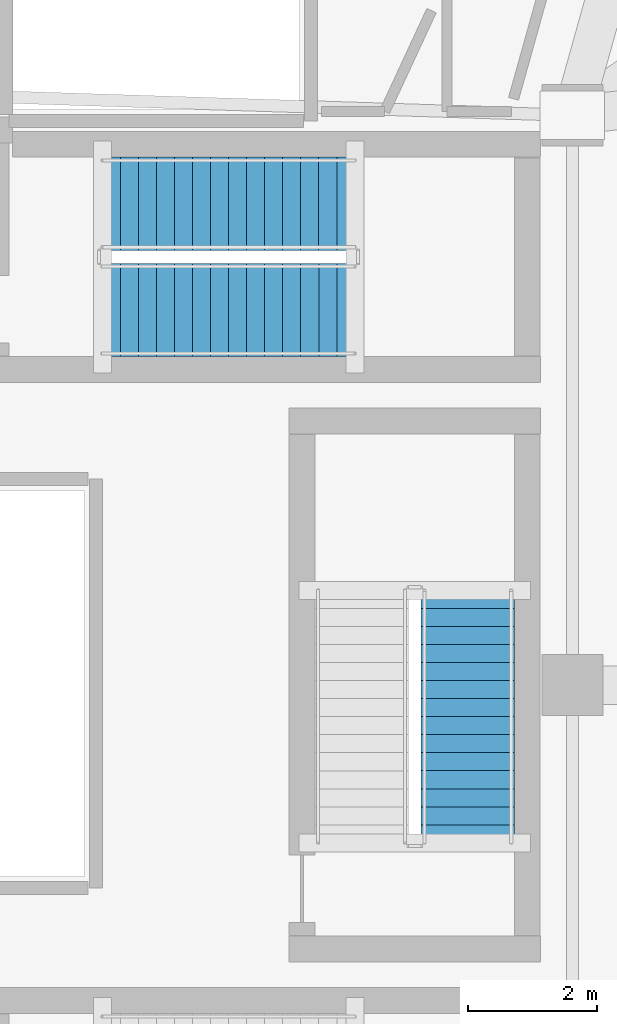
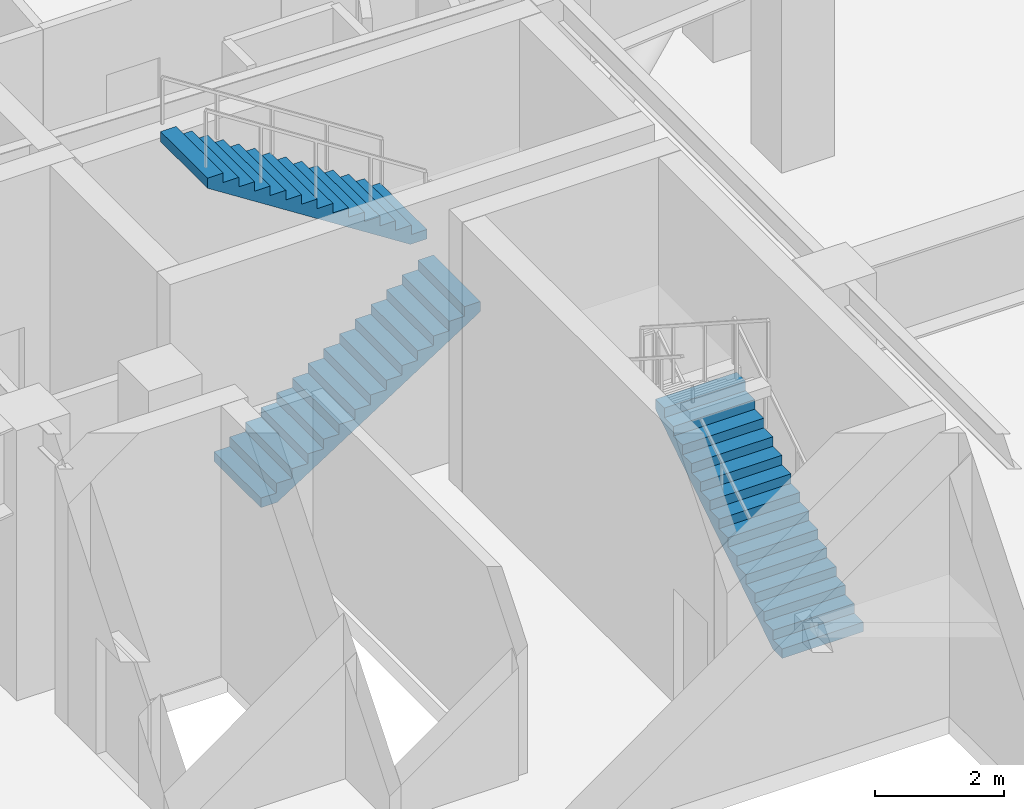
# One storey, part 7 of 10: 3 stair flights, 2 elements without a shape of their own.
"""IFC4 building model written with IfcOpenShell, lengths in metres."""

from ifc_helpers import new_model, si_unit, direction, frame, origin, place, context, subcontext, project, spatial, polyline, outline, extrude, material, type_object, element, aggregate, save


model = new_model("IFC4")

# Units and contexts
model_context = context("Model", 3, precision=1e-05, world=origin(), true_north=direction((0.0, 1.0)))
body_context = subcontext(model_context, "Body", "Model", "MODEL_VIEW")
ifc_project = project(units=[si_unit("LENGTHUNIT", "METRE"), si_unit("AREAUNIT", "SQUARE_METRE"), si_unit("VOLUMEUNIT", "CUBIC_METRE"), si_unit("PLANEANGLEUNIT", "RADIAN"), si_unit("MASSUNIT", "GRAM", prefix="KILO")], contexts=[model_context])

# Site, building, storey
site_placement = place(None, origin())
site = spatial("IfcSite", under=ifc_project, at=site_placement, CompositionType="ELEMENT")
building_placement = place(site_placement, origin())
building = spatial("IfcBuilding", under=site, at=building_placement, Name="Korentha Bioscience Tower", CompositionType="ELEMENT")
storey_placement = place(building_placement, frame((0.0, 0.0, 213.0)))
storey = spatial("IfcBuildingStorey", under=building, at=storey_placement, Name="L49", CompositionType="ELEMENT", Elevation=213.0)

# Stair, stair flights
ifc_material = material(Name="Precast Concrete C50", Category="concrete")
stair_type = type_object("IfcStairType", Name="Core Exit Dog-Leg Stair 1450", PredefinedType="HALF_TURN_STAIR", material=ifc_material)
stair_1_placement = place(storey_placement, origin())
stair_1 = element("IfcStair", 1, at=stair_1_placement, inside=storey, type_object=stair_type, Name="L49 Tower North Pressurized Exit Stair ST-1", PredefinedType="HALF_TURN_STAIR")
stair_flight_type = type_object("IfcStairFlightType", Name="Core Exit Dog-Leg Stair 1450 Flight", PredefinedType="STRAIGHT", material=ifc_material)
stair_flight_1_placement = place(storey_placement, frame((30.25, 32.824951171875, 0.0), z_axis=(0.0, 0.0, 1.0), x_axis=(1.0, 0.0, 0.0)))
stair_flight_1 = element("IfcStairFlight", 2, at=stair_flight_1_placement, type_object=stair_flight_type, Name="ST-1 flight 1", NumberOfRisers=15, NumberOfTreads=14, PredefinedType="STRAIGHT", RiserHeight=0.18, TreadLength=0.28, context=body_context, shape_type="SweptSolid", body=[
    extrude(outline(polyline([(0.0, 0.0), (0.0, 0.179931640625), (0.280029296875, 0.179931640625), (0.280029296875, 0.360107421875), (0.56005859375, 0.360107421875), (0.56005859375, 0.5400390625), (0.840087890625, 0.5400390625), (0.840087890625, 0.719970703125), (1.1201171875, 0.719970703125), (1.1201171875, 0.89990234375), (1.39990234375, 0.89990234375), (1.39990234375, 1.080078125), (1.679931640625, 1.080078125), (1.679931640625, 1.260009765625), (1.9599609375, 1.260009765625), (1.9599609375, 1.43994140625), (2.239990234375, 1.43994140625), (2.239990234375, 1.6201171875), (2.52001953125, 1.6201171875), (2.52001953125, 1.800048828125), (2.800048828125, 1.800048828125), (2.800048828125, 1.97998046875), (3.080078125, 1.97998046875), (3.080078125, 2.159912109375), (3.360107421875, 2.159912109375), (3.360107421875, 2.340087890625), (3.639892578125, 2.340087890625), (3.639892578125, 2.52001953125), (3.919921875, 2.52001953125), (3.919921875, 2.699951171875), (3.919921875, 2.329833984375), (0.295654296875, 0.0), (0.0, 0.0)])), frame((0.0, 0.72509765625, 0.0), z_axis=(0.0, -1.0, 0.0), x_axis=(1.0, 0.0, 0.0)), (0.0, 0.0, 1.0), 1.449951171875),
])
stair_flight_2_placement = place(storey_placement, frame((34.169921875, 34.47509765625, 2.699951171875), z_axis=(0.0, 0.0, 1.0), x_axis=(-1.0, 0.0, 0.0)))
stair_flight_2 = element("IfcStairFlight", 3, at=stair_flight_2_placement, type_object=stair_flight_type, Name="ST-1 flight 2", NumberOfRisers=15, NumberOfTreads=14, PredefinedType="STRAIGHT", RiserHeight=0.18, TreadLength=0.28, context=body_context, shape_type="SweptSolid", body=[
    extrude(outline(polyline([(0.0, 0.0), (0.0, 0.179931640625), (0.280029296875, 0.179931640625), (0.280029296875, 0.360107421875), (0.56005859375, 0.360107421875), (0.56005859375, 0.5400390625), (0.840087890625, 0.5400390625), (0.840087890625, 0.719970703125), (1.1201171875, 0.719970703125), (1.1201171875, 0.89990234375), (1.39990234375, 0.89990234375), (1.39990234375, 1.080078125), (1.679931640625, 1.080078125), (1.679931640625, 1.260009765625), (1.9599609375, 1.260009765625), (1.9599609375, 1.43994140625), (2.239990234375, 1.43994140625), (2.239990234375, 1.6201171875), (2.52001953125, 1.6201171875), (2.52001953125, 1.800048828125), (2.800048828125, 1.800048828125), (2.800048828125, 1.97998046875), (3.080078125, 1.97998046875), (3.080078125, 2.159912109375), (3.360107421875, 2.159912109375), (3.360107421875, 2.340087890625), (3.639892578125, 2.340087890625), (3.639892578125, 2.52001953125), (3.919921875, 2.52001953125), (3.919921875, 2.699951171875), (3.919921875, 2.329833984375), (0.295654296875, 0.0), (0.0, 0.0)])), frame((0.0, 0.72509765625, 0.0), z_axis=(0.0, -1.0, 0.0), x_axis=(1.0, 0.0, 0.0)), (0.0, 0.0, 1.0), 1.449951171875),
])
aggregate(stair_1, [stair_flight_1, stair_flight_2])

# Stair, stair flight
stair_2_placement = place(storey_placement, origin())
stair_2 = element("IfcStair", 4, at=stair_2_placement, inside=storey, type_object=stair_type, Name="L49 Tower Central Pressurized Exit Stair ST-3", PredefinedType="HALF_TURN_STAIR")
stair_flight_3_placement = place(storey_placement, frame((35.925048828125, 24.550048828125, 0.0), z_axis=(0.0, 0.0, 1.0), x_axis=(0.0, 1.0, 0.0)))
stair_flight_3 = element("IfcStairFlight", 5, at=stair_flight_3_placement, type_object=stair_flight_type, Name="ST-3 flight 1", NumberOfRisers=15, NumberOfTreads=14, PredefinedType="STRAIGHT", RiserHeight=0.18, TreadLength=0.28, context=body_context, shape_type="SweptSolid", body=[
    extrude(outline(polyline([(0.0, 0.0), (0.0, 0.179931640625), (0.280029296875, 0.179931640625), (0.280029296875, 0.360107421875), (0.56005859375, 0.360107421875), (0.56005859375, 0.5400390625), (0.840087890625, 0.5400390625), (0.840087890625, 0.719970703125), (1.1201171875, 0.719970703125), (1.1201171875, 0.89990234375), (1.39990234375, 0.89990234375), (1.39990234375, 1.080078125), (1.679931640625, 1.080078125), (1.679931640625, 1.260009765625), (1.9599609375, 1.260009765625), (1.9599609375, 1.43994140625), (2.239990234375, 1.43994140625), (2.239990234375, 1.6201171875), (2.52001953125, 1.6201171875), (2.52001953125, 1.800048828125), (2.800048828125, 1.800048828125), (2.800048828125, 1.97998046875), (3.080078125, 1.97998046875), (3.080078125, 2.159912109375), (3.360107421875, 2.159912109375), (3.360107421875, 2.340087890625), (3.639892578125, 2.340087890625), (3.639892578125, 2.52001953125), (3.919921875, 2.52001953125), (3.919921875, 2.699951171875), (3.919921875, 2.329833984375), (0.295654296875, 0.0), (0.0, 0.0)])), frame((0.0, 0.72509765625, 0.0), z_axis=(0.0, -1.0, 0.0), x_axis=(1.0, 0.0, 0.0)), (0.0, 0.0, 1.0), 1.449951171875),
])
aggregate(stair_2, [stair_flight_3])

save(model, "model.ifc")
